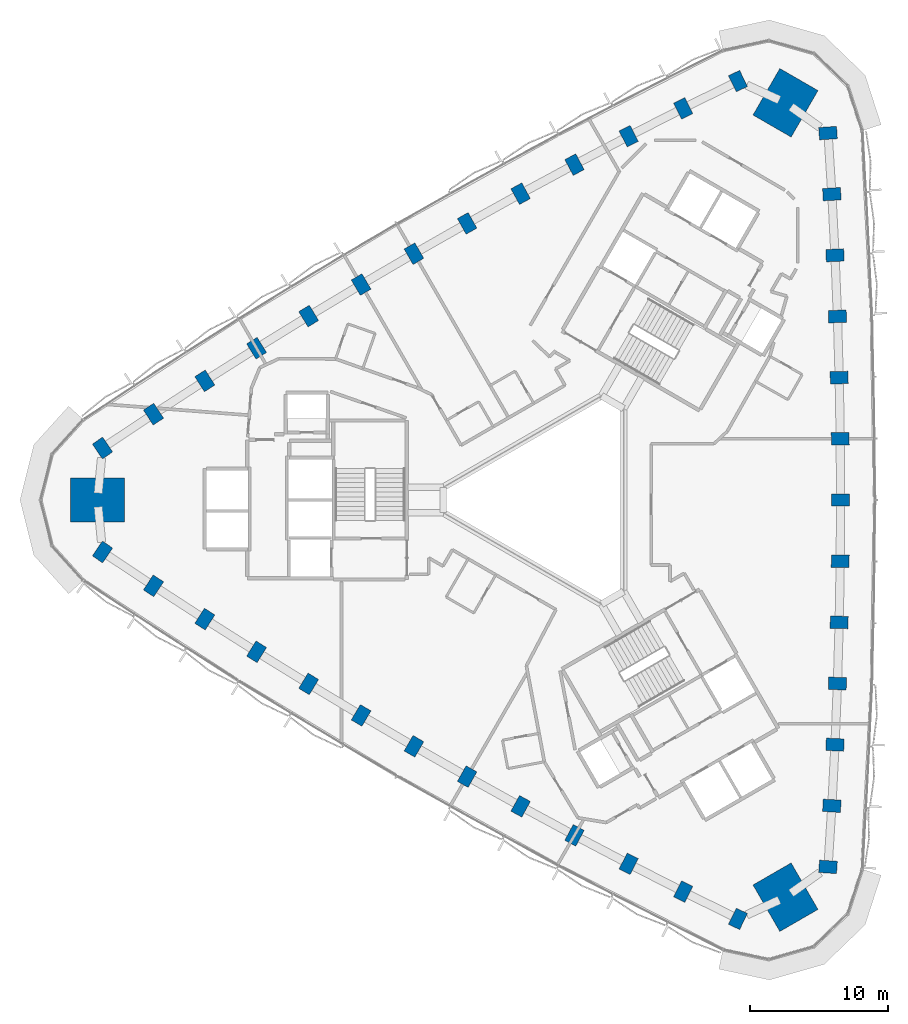
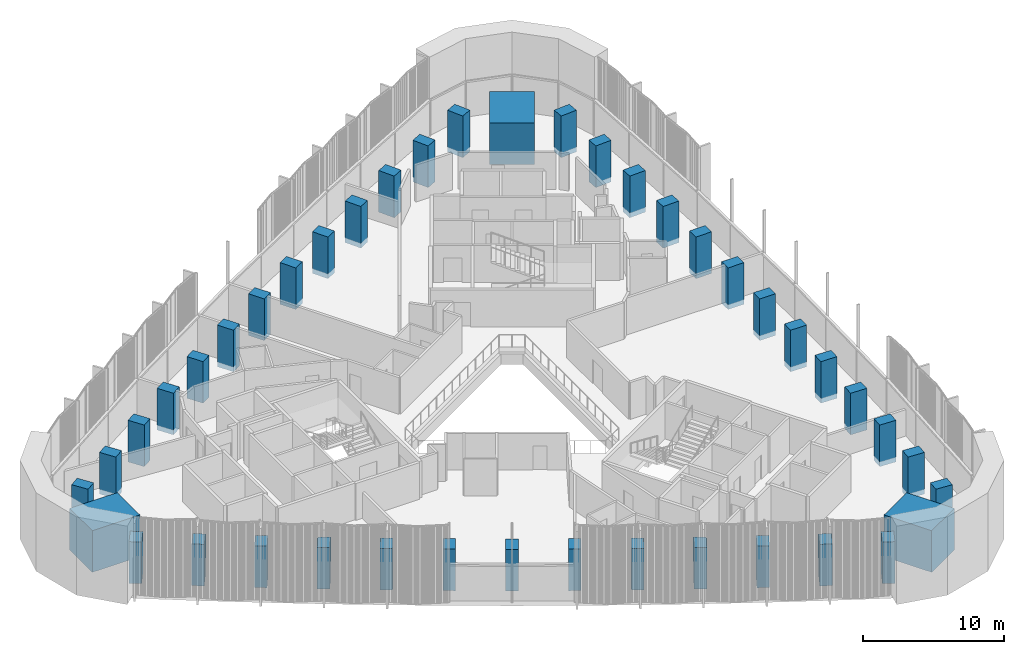
# One storey, part 1 of 15: 42 columns.
"""IFC4 building model written with IfcOpenShell, lengths in metres."""

from ifc_helpers import new_model, si_unit, direction, frame, origin, origin_2d, place, context, subcontext, project, spatial, rectangle, extrude, material, material_profile, profile_set, type_object, element, save


model = new_model("IFC4")

# Units and contexts
model_context = context("Model", 3, precision=1e-05, world=origin(), true_north=direction((0.0, 1.0)))
body_context = subcontext(model_context, "Body", "Model", "MODEL_VIEW")
ifc_project = project(units=[si_unit("LENGTHUNIT", "METRE"), si_unit("AREAUNIT", "SQUARE_METRE"), si_unit("VOLUMEUNIT", "CUBIC_METRE"), si_unit("PLANEANGLEUNIT", "RADIAN"), si_unit("MASSUNIT", "GRAM", prefix="KILO")], contexts=[model_context])

# Site, building, storey
site_placement = place(None, origin())
site = spatial("IfcSite", under=ifc_project, at=site_placement, CompositionType="ELEMENT")
building_placement = place(site_placement, origin())
building = spatial("IfcBuilding", under=site, at=building_placement, Name="Tamra Quay Hotel Tower", CompositionType="ELEMENT")
storey_placement = place(building_placement, frame((0.0, 0.0, 101.0)))
storey = spatial("IfcBuildingStorey", under=building, at=storey_placement, Name="L24", CompositionType="ELEMENT", Elevation=101.0)

# Columns
ifc_material = material(Name="Concrete M70", Category="concrete")
ifc_material_profile_1 = material_profile(ifc_material, rectangle(XDim=1.300048828125, YDim=0.89990234375, at=origin_2d()), Name="COLUMN RC 900x1300 Z2")
ifc_profile_set_1 = profile_set([ifc_material_profile_1], Name="Concrete M70")
column_type_1 = type_object("IfcColumnType", Name="COLUMN RC 900x1300 Z2", PredefinedType="COLUMN", material=ifc_profile_set_1)
for number, where, z_axis, x_axis, name in (
    (1, (19.746337890625, -26.648681640625, -0.425048828125), (0.0, 0.0, 1.0), (-0.997682497858, 0.068041409955, 0.0), "COL-C2E01-L24"),
    (2, (20.02490234375, -22.212158203125, -0.425048828125), (0.0, 0.0, 1.0), (-0.998368034899, 0.057107502941, 0.0), "COL-C2E02-L24"),
    (3, (20.2529296875, -17.773193359375, -0.425048828125), (0.0, 0.0, 1.0), (-0.99895467426, 0.04571169187, 0.0), "COL-C2E03-L24"),
    (4, (20.430419921875, -13.331787109375, -0.425048828125), (0.0, 0.0, 1.0), (-0.999411600314, 0.034299462929, 0.0), "COL-C2E04-L24"),
    (5, (20.557373046875, -8.888916015625, -0.425048828125), (0.0, 0.0, 1.0), (-0.999738355025, 0.022874035338, 0.0), "COL-C2E05-L24"),
    (6, (20.633544921875, -4.44482421875, -0.425048828125), (0.0, 0.0, 1.0), (-0.999934576635, 0.01143863846, 0.0), "COL-C2E06-L24"),
    (7, (20.658935546875, 0.0, -0.425048828125), (0.0, 0.0, 1.0), (1.0, 0.0, 0.0), "COL-C2E07-L24"),
    (8, (20.633544921875, 4.44482421875, -0.425048828125), (0.0, 0.0, 1.0), (0.999934576635, 0.01143863846, 0.0), "COL-C2E08-L24"),
    (9, (20.557373046875, 8.888916015625, -0.425048828125), (0.0, 0.0, 1.0), (0.999738355025, 0.022874035338, 0.0), "COL-C2E09-L24"),
    (10, (20.430419921875, 13.331787109375, -0.425048828125), (0.0, 0.0, 1.0), (0.999411600314, 0.034299462929, 0.0), "COL-C2E10-L24"),
    (11, (20.2529296875, 17.773193359375, -0.425048828125), (0.0, 0.0, 1.0), (0.99895467426, 0.04571169187, 0.0), "COL-C2E11-L24"),
    (12, (20.02490234375, 22.212158203125, -0.425048828125), (0.0, 0.0, 1.0), (0.998368034899, 0.057107502941, 0.0), "COL-C2E12-L24"),
    (13, (19.746337890625, 26.648681640625, -0.425048828125), (0.0, 0.0, 1.0), (0.997682497858, 0.068041409955, 0.0), "COL-C2E13-L24"),
    (14, (13.205078125, 30.425048828125, -0.425048828125), (0.0, 0.0, 1.0), (-0.439915659398, 0.898039093033, 0.0), "COL-C2NW01-L24"),
    (15, (9.223876953125, 28.4482421875, -0.425048828125), (0.0, 0.0, 1.0), (-0.449727469156, 0.893165832019, 0.0), "COL-C2NW02-L24"),
    (16, (5.265625, 26.42626953125, -0.425048828125), (0.0, 0.0, 1.0), (-0.459889850721, 0.887975971074, 0.0), "COL-C2NW03-L24"),
    (17, (1.33056640625, 24.359375, -0.425048828125), (0.0, 0.0, 1.0), (-0.470001593924, 0.882665566174, 0.0), "COL-C2NW04-L24"),
    (18, (-2.580810546875, 22.247802734375, -0.425048828125), (0.0, 0.0, 1.0), (-0.480059681822, 0.877235830258, 0.0), "COL-C2NW05-L24"),
    (19, (-6.467529296875, 20.091552734375, -0.425048828125), (0.0, 0.0, 1.0), (-0.490061136827, 0.871688064718, 0.0), "COL-C2NW06-L24"),
    (20, (-10.32958984375, 17.89111328125, -0.425048828125), (0.0, 0.0, 1.0), (-0.5, 0.866025403784, 0.0), "COL-C2NW07-L24"),
    (21, (-14.166015625, 15.646728515625, -0.425048828125), (0.0, 0.0, 1.0), (-0.509873439808, 0.860249426259, 0.0), "COL-C2NW08-L24"),
    (22, (-17.976806640625, 13.35888671875, -0.425048828125), (0.0, 0.0, 1.0), (-0.519678673202, 0.85436179492, 0.0), "COL-C2NW09-L24"),
    (23, (-21.760986328125, 11.02734375, -0.425048828125), (0.0, 0.0, 1.0), (-0.52941000639, 0.848366103245, 0.0), "COL-C2NW10-L24"),
    (24, (-25.5185546875, 8.653076171875, -0.425048828125), (0.0, 0.0, 1.0), (-0.539064823539, 0.842264279204, 0.0), "COL-C2NW11-L24"),
    (25, (-29.248779296875, 6.23583984375, -0.425048828125), (0.0, 0.0, 1.0), (-0.548640565743, 0.836058329078, 0.0), "COL-C2NW12-L24"),
    (26, (-32.951416015625, 3.776611328125, -0.425048828125), (0.0, 0.0, 1.0), (-0.557766838459, 0.829997683078, 0.0), "COL-C2NW13-L24"),
    (27, (-32.951416015625, -3.776611328125, -0.425048828125), (0.0, 0.0, 1.0), (0.557766838459, 0.829997683078, 0.0), "COL-C2SW01-L24"),
    (28, (-29.248779296875, -6.23583984375, -0.425048828125), (0.0, 0.0, 1.0), (0.548640565743, 0.836058329078, 0.0), "COL-C2SW02-L24"),
    (29, (-25.5185546875, -8.653076171875, -0.425048828125), (0.0, 0.0, 1.0), (0.539064823539, 0.842264279204, 0.0), "COL-C2SW03-L24"),
    (30, (-21.760986328125, -11.02734375, -0.425048828125), (0.0, 0.0, 1.0), (0.52941000639, 0.848366103245, 0.0), "COL-C2SW04-L24"),
    (31, (-17.976806640625, -13.35888671875, -0.425048828125), (0.0, 0.0, 1.0), (0.519678673202, 0.85436179492, 0.0), "COL-C2SW05-L24"),
    (32, (-14.166015625, -15.646728515625, -0.425048828125), (0.0, 0.0, 1.0), (0.509873439808, 0.860249426259, 0.0), "COL-C2SW06-L24"),
    (33, (-10.32958984375, -17.89111328125, -0.425048828125), (0.0, 0.0, 1.0), (0.5, 0.866025403784, 0.0), "COL-C2SW07-L24"),
    (34, (-6.467529296875, -20.091552734375, -0.425048828125), (0.0, 0.0, 1.0), (0.490061136827, 0.871688064718, 0.0), "COL-C2SW08-L24"),
    (35, (-2.580810546875, -22.247802734375, -0.425048828125), (0.0, 0.0, 1.0), (0.480059681822, 0.877235830258, 0.0), "COL-C2SW09-L24"),
    (36, (1.33056640625, -24.359375, -0.425048828125), (0.0, 0.0, 1.0), (0.470001593924, 0.882665566174, 0.0), "COL-C2SW10-L24"),
    (37, (5.265625, -26.42626953125, -0.425048828125), (0.0, 0.0, 1.0), (0.459889850721, 0.887975971074, 0.0), "COL-C2SW11-L24"),
    (38, (9.223876953125, -28.4482421875, -0.425048828125), (0.0, 0.0, 1.0), (0.449727469156, 0.893165832019, 0.0), "COL-C2SW12-L24"),
    (39, (13.205078125, -30.425048828125, -0.425048828125), (0.0, 0.0, 1.0), (0.439915659398, 0.898039093033, 0.0), "COL-C2SW13-L24"),
):
    element("IfcColumn", number, at=place(storey_placement, frame(where, z_axis=z_axis, x_axis=x_axis)), inside=storey, type_object=column_type_1, Name=name, PredefinedType="COLUMN", context=body_context, shape_type="SweptSolid", body=[
        extrude(rectangle(XDim=1.300048828125, YDim=0.89990234375, at=origin_2d()), origin(), (0.0, 0.0, 1.0), 3.60009765625),
    ])
ifc_material_profile_2 = material_profile(ifc_material, rectangle(XDim=3.89990234375, YDim=3.199951171875, at=origin_2d()), Name="MEGA COLUMN RC 3200x3900 Z2")
ifc_profile_set_2 = profile_set([ifc_material_profile_2], Name="Concrete M70")
column_type_2 = type_object("IfcColumnType", Name="MEGA COLUMN RC 3200x3900 Z2", PredefinedType="COLUMN", material=ifc_profile_set_2)
for number, where, z_axis, x_axis, name in (
    (40, (16.65673828125, 28.8505859375, -0.425048828125), (0.0, 0.0, 1.0), (0.5, 0.866025403784, 0.0), "COL-M2NE-L24"),
    (41, (-33.313720703125, 0.0, -0.425048828125), (0.0, 0.0, 1.0), (1.0, 0.0, 0.0), "COL-M2W-L24"),
    (42, (16.65673828125, -28.8505859375, -0.425048828125), (0.0, 0.0, 1.0), (-0.5, 0.866025403784, 0.0), "COL-M2SE-L24"),
):
    element("IfcColumn", number, at=place(storey_placement, frame(where, z_axis=z_axis, x_axis=x_axis)), inside=storey, type_object=column_type_2, Name=name, PredefinedType="COLUMN", context=body_context, shape_type="SweptSolid", body=[
        extrude(rectangle(XDim=3.89990234375, YDim=3.199951171875, at=origin_2d()), origin(), (0.0, 0.0, 1.0), 3.60009765625),
    ])

save(model, "model.ifc")
